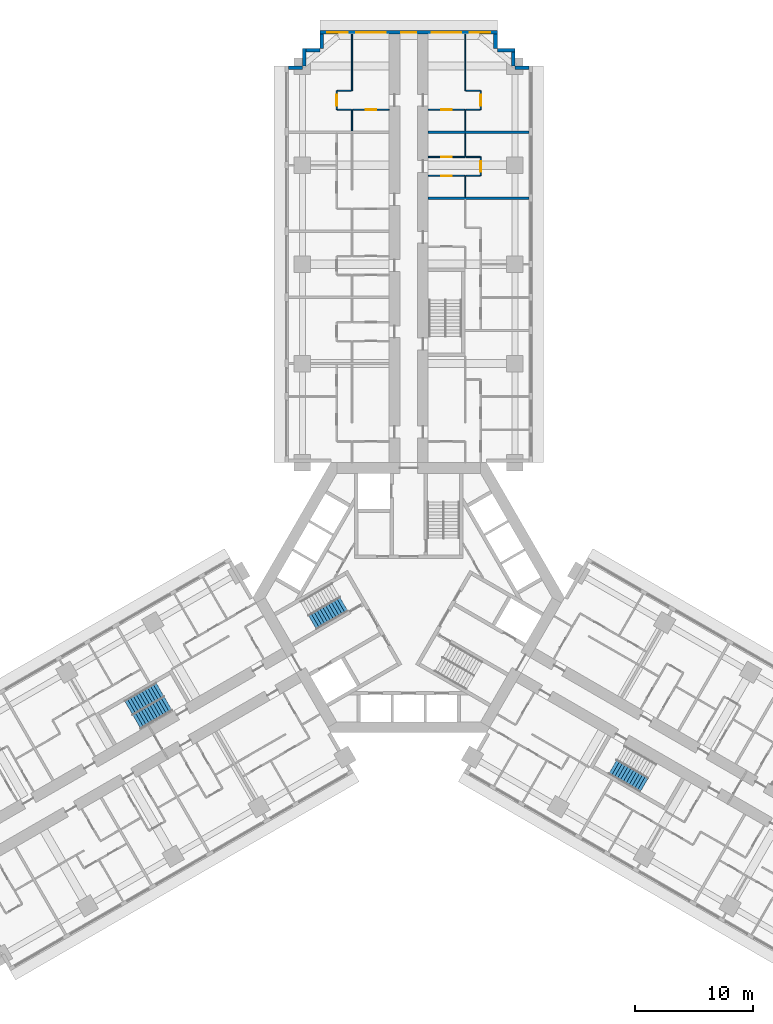
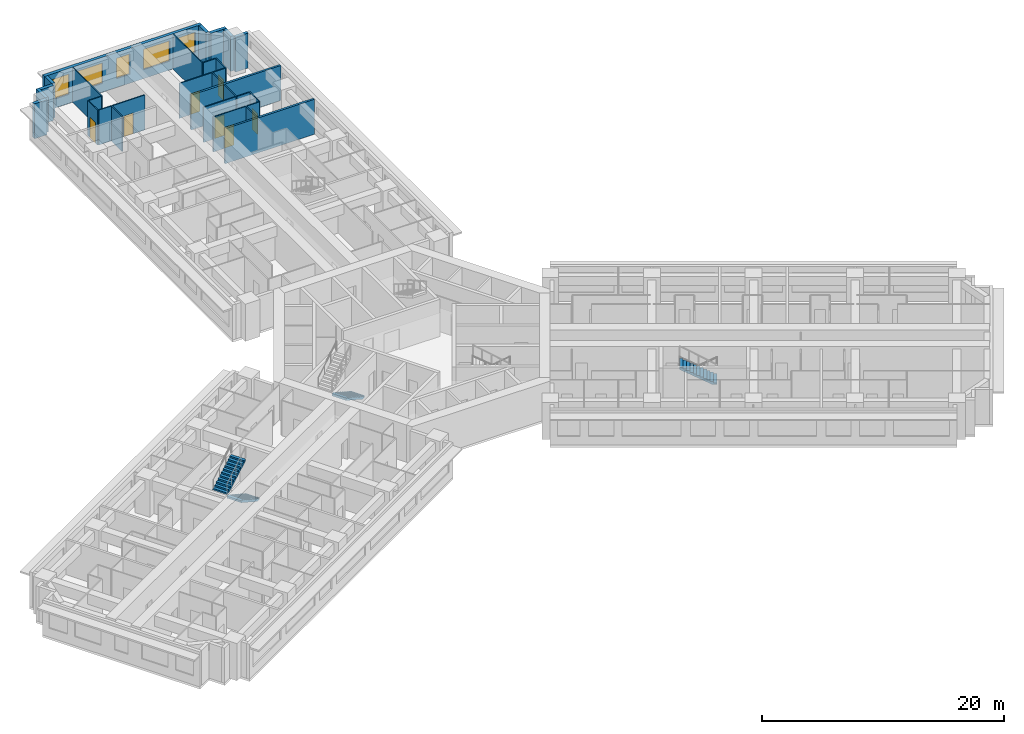
# One storey, part 14 of 16: 30 walls, 7 doors, 5 windows, 4 stair flights, 12 openings, 3 elements without a shape of their own.
"""IFC4 building model written with IfcOpenShell, lengths in metres."""

from ifc_helpers import new_model, si_unit, direction, frame, frame_2d, origin, place, context, subcontext, project, spatial, polyline, rectangle, outline, extrude, material, layer, layer_set, type_object, element, fill, aggregate, save


model = new_model("IFC4")

# Units and contexts
model_context = context("Model", 3, precision=1e-05, world=origin(), true_north=direction((0.0, 1.0)))
body_context = subcontext(model_context, "Body", "Model", "MODEL_VIEW")
ifc_project = project(units=[si_unit("LENGTHUNIT", "METRE"), si_unit("AREAUNIT", "SQUARE_METRE"), si_unit("VOLUMEUNIT", "CUBIC_METRE"), si_unit("PLANEANGLEUNIT", "RADIAN"), si_unit("MASSUNIT", "GRAM", prefix="KILO")], contexts=[model_context])

# Site, building, storey
site_placement = place(None, origin())
site = spatial("IfcSite", under=ifc_project, at=site_placement, CompositionType="ELEMENT")
building_placement = place(site_placement, origin())
building = spatial("IfcBuilding", under=site, at=building_placement, Name="Impinga Residences", CompositionType="ELEMENT")
storey_placement = place(building_placement, frame((0.0, 0.0, 67.25)))
storey = spatial("IfcBuildingStorey", under=building, at=storey_placement, Name="L16", CompositionType="ELEMENT", Elevation=67.25)

# Walls
ifc_material_1 = material(Name="Terracotta rainscreen on blockwork", Category="masonry")
ifc_layer_1 = layer(ifc_material_1, 0.300048828125)
ifc_layer_set_1 = layer_set([ifc_layer_1], Name="EW1 external wall, terracotta rainscreen on blockwork 300")
wall_type_1 = type_object("IfcWallType", Name="EW1 external wall, terracotta rainscreen on blockwork 300", PredefinedType="SOLIDWALL", material=ifc_layer_set_1)
wall_1_placement = place(storey_placement, frame((-10.199951171875, 44.881591796875, 0.0), z_axis=(0.0, 0.0, 1.0), x_axis=(1.0, 0.0, 0.0)))
element("IfcWall", 1, at=wall_1_placement, inside=storey, type_object=wall_type_1, Name="External wall EW1 L16", PredefinedType="SOLIDWALL", context=body_context, shape_type="SweptSolid", body=[
    extrude(rectangle(XDim=1.199951171875, YDim=0.300048828125, at=frame_2d((0.60009765625, 0.0))), origin(), (0.0, 0.0, 1.0), 3.530029296875),
])
wall_2_placement = place(storey_placement, frame((-8.85009765625, 45.03662109375, 0.0), z_axis=(0.0, 0.0, 1.0), x_axis=(0.0, 1.0, 0.0)))
element("IfcWall", 2, at=wall_2_placement, inside=storey, type_object=wall_type_1, Name="External wall EW1 L16", PredefinedType="SOLIDWALL", context=body_context, shape_type="SweptSolid", body=[
    extrude(rectangle(XDim=1.494873046875, YDim=0.300048828125, at=frame_2d((0.74755859375, 0.0))), origin(), (0.0, 0.0, 1.0), 3.530029296875),
])
wall_3_placement = place(storey_placement, frame((-8.699951171875, 46.381591796875, 0.0), z_axis=(0.0, 0.0, 1.0), x_axis=(1.0, 0.0, 0.0)))
element("IfcWall", 3, at=wall_3_placement, inside=storey, type_object=wall_type_1, Name="External wall EW1 L16", PredefinedType="SOLIDWALL", context=body_context, shape_type="SweptSolid", body=[
    extrude(rectangle(XDim=1.199951171875, YDim=0.300048828125, at=frame_2d((0.60009765625, 0.0))), origin(), (0.0, 0.0, 1.0), 3.530029296875),
])
wall_4_placement = place(storey_placement, frame((-7.35009765625, 46.53662109375, 0.0), z_axis=(0.0, 0.0, 1.0), x_axis=(0.0, 1.0, 0.0)))
element("IfcWall", 4, at=wall_4_placement, inside=storey, type_object=wall_type_1, Name="External wall EW1 L16", PredefinedType="SOLIDWALL", context=body_context, shape_type="SweptSolid", body=[
    extrude(rectangle(XDim=1.19482421875, YDim=0.300048828125, at=frame_2d((0.597412109375, 0.0))), origin(), (0.0, 0.0, 1.0), 3.530029296875),
])

# Wall, openings, windows
wall_5_placement = place(storey_placement, frame((-7.5, 47.881591796875, 0.0), z_axis=(0.0, 0.0, 1.0), x_axis=(1.0, 0.0, 0.0)))
wall_5 = element("IfcWall", 5, at=wall_5_placement, inside=storey, type_object=wall_type_1, Name="External wall EW1 L16", PredefinedType="SOLIDWALL", context=body_context, shape_type="SweptSolid", body=[
    extrude(rectangle(XDim=15.0, YDim=0.300048828125, at=frame_2d((7.5, 0.0))), origin(), (0.0, 0.0, 1.0), 3.530029296875),
])
opening_1_placement = place(wall_5_placement, frame((0.60009765625, 0.0, 0.89990234375)))
opening_1 = element("IfcOpeningElement", 6, at=opening_1_placement, cuts=wall_5, Name="Opening W1", PredefinedType="OPENING", context=body_context, shape_type="SweptSolid", body=[
    extrude(rectangle(XDim=1.75, YDim=2.050048828125, at=frame_2d((0.875, 1.02490234375))), frame((0.0, 0.159912109375, 0.0), z_axis=(0.0, -1.0, 0.0), x_axis=(1.0, 0.0, 0.0)), (0.0, 0.0, 1.0), 0.320068359375),
])
opening_2_placement = place(wall_5_placement, frame((3.050048828125, 0.0, 0.89990234375)))
opening_2 = element("IfcOpeningElement", 7, at=opening_2_placement, cuts=wall_5, Name="Opening W2", PredefinedType="OPENING", context=body_context, shape_type="SweptSolid", body=[
    extrude(rectangle(XDim=2.5, YDim=2.050048828125, at=frame_2d((1.25, 1.02490234375))), frame((0.0, 0.159912109375, 0.0), z_axis=(0.0, -1.0, 0.0), x_axis=(1.0, 0.0, 0.0)), (0.0, 0.0, 1.0), 0.320068359375),
])
opening_3_placement = place(wall_5_placement, frame((6.85009765625, 0.0, 0.89990234375)))
opening_3 = element("IfcOpeningElement", 8, at=opening_3_placement, cuts=wall_5, Name="Opening WE1", PredefinedType="OPENING", context=body_context, shape_type="SweptSolid", body=[
    extrude(rectangle(XDim=1.300048828125, YDim=2.050048828125, at=frame_2d((0.64990234375, 1.02490234375))), frame((0.0, 0.159912109375, 0.0), z_axis=(0.0, -1.0, 0.0), x_axis=(1.0, 0.0, 0.0)), (0.0, 0.0, 1.0), 0.320068359375),
])
opening_4_placement = place(wall_5_placement, frame((9.449951171875, 0.0, 0.89990234375)))
opening_4 = element("IfcOpeningElement", 9, at=opening_4_placement, cuts=wall_5, Name="Opening W2", PredefinedType="OPENING", context=body_context, shape_type="SweptSolid", body=[
    extrude(rectangle(XDim=2.5, YDim=2.050048828125, at=frame_2d((1.25, 1.02490234375))), frame((0.0, 0.159912109375, 0.0), z_axis=(0.0, -1.0, 0.0), x_axis=(1.0, 0.0, 0.0)), (0.0, 0.0, 1.0), 0.320068359375),
])
opening_5_placement = place(wall_5_placement, frame((12.64990234375, 0.0, 0.89990234375)))
opening_5 = element("IfcOpeningElement", 10, at=opening_5_placement, cuts=wall_5, Name="Opening W1", PredefinedType="OPENING", context=body_context, shape_type="SweptSolid", body=[
    extrude(rectangle(XDim=1.75, YDim=2.050048828125, at=frame_2d((0.875, 1.02490234375))), frame((0.0, 0.159912109375, 0.0), z_axis=(0.0, -1.0, 0.0), x_axis=(1.0, 0.0, 0.0)), (0.0, 0.0, 1.0), 0.320068359375),
])
ifc_material_2 = material(Name="Aluminium window, clear double glazing", Category="aluminium")
window_type_1 = type_object("IfcWindowType", Name="W1 ribbon window 1750x2050", PartitioningType="SINGLE_PANEL", PredefinedType="WINDOW", material=ifc_material_2)
window_1_placement = place(opening_1_placement, origin())
window_1 = element("IfcWindow", 11, at=window_1_placement, inside=storey, type_object=window_type_1, Name="Window L16", OverallHeight=2.050048828125, OverallWidth=1.75, PartitioningType="SINGLE_PANEL", PredefinedType="WINDOW", context=body_context, shape_type="SweptSolid", body=[
    extrude(rectangle(XDim=1.75, YDim=2.050048828125, at=frame_2d((0.875, 1.02490234375))), frame((0.0, 0.030029296875, 0.0), z_axis=(0.0, -1.0, 0.0), x_axis=(1.0, 0.0, 0.0)), (0.0, 0.0, 1.0), 0.06005859375),
])
fill(opening_1, window_1)
window_2_placement = place(opening_5_placement, origin())
window_2 = element("IfcWindow", 12, at=window_2_placement, inside=storey, type_object=window_type_1, Name="Window L16", OverallHeight=2.050048828125, OverallWidth=1.75, PartitioningType="SINGLE_PANEL", PredefinedType="WINDOW", context=body_context, shape_type="SweptSolid", body=[
    extrude(rectangle(XDim=1.75, YDim=2.050048828125, at=frame_2d((0.875, 1.02490234375))), frame((0.0, 0.030029296875, 0.0), z_axis=(0.0, -1.0, 0.0), x_axis=(1.0, 0.0, 0.0)), (0.0, 0.0, 1.0), 0.06005859375),
])
fill(opening_5, window_2)
window_type_2 = type_object("IfcWindowType", Name="W2 ribbon window 2500x2050", PartitioningType="SINGLE_PANEL", PredefinedType="WINDOW", material=ifc_material_2)
window_3_placement = place(opening_2_placement, origin())
window_3 = element("IfcWindow", 13, at=window_3_placement, inside=storey, type_object=window_type_2, Name="Window L16", OverallHeight=2.050048828125, OverallWidth=2.5, PartitioningType="SINGLE_PANEL", PredefinedType="WINDOW", context=body_context, shape_type="SweptSolid", body=[
    extrude(rectangle(XDim=2.5, YDim=2.050048828125, at=frame_2d((1.25, 1.02490234375))), frame((0.0, 0.030029296875, 0.0), z_axis=(0.0, -1.0, 0.0), x_axis=(1.0, 0.0, 0.0)), (0.0, 0.0, 1.0), 0.06005859375),
])
fill(opening_2, window_3)
window_4_placement = place(opening_4_placement, origin())
window_4 = element("IfcWindow", 14, at=window_4_placement, inside=storey, type_object=window_type_2, Name="Window L16", OverallHeight=2.050048828125, OverallWidth=2.5, PartitioningType="SINGLE_PANEL", PredefinedType="WINDOW", context=body_context, shape_type="SweptSolid", body=[
    extrude(rectangle(XDim=2.5, YDim=2.050048828125, at=frame_2d((1.25, 1.02490234375))), frame((0.0, 0.030029296875, 0.0), z_axis=(0.0, -1.0, 0.0), x_axis=(1.0, 0.0, 0.0)), (0.0, 0.0, 1.0), 0.06005859375),
])
fill(opening_4, window_4)
window_type_3 = type_object("IfcWindowType", Name="WE1 corridor window 1300x2050", PartitioningType="SINGLE_PANEL", PredefinedType="WINDOW", material=ifc_material_2)
window_5_placement = place(opening_3_placement, origin())
window_5 = element("IfcWindow", 15, at=window_5_placement, inside=storey, type_object=window_type_3, Name="Window L16", OverallHeight=2.050048828125, OverallWidth=1.300048828125, PartitioningType="SINGLE_PANEL", PredefinedType="WINDOW", context=body_context, shape_type="SweptSolid", body=[
    extrude(rectangle(XDim=1.300048828125, YDim=2.050048828125, at=frame_2d((0.64990234375, 1.02490234375))), frame((0.0, 0.030029296875, 0.0), z_axis=(0.0, -1.0, 0.0), x_axis=(1.0, 0.0, 0.0)), (0.0, 0.0, 1.0), 0.06005859375),
])
fill(opening_3, window_5)

# Walls
wall_6_placement = place(storey_placement, frame((7.35009765625, 47.7314453125, 0.0), z_axis=(0.0, 0.0, 1.0), x_axis=(0.0, -1.0, 0.0)))
element("IfcWall", 16, at=wall_6_placement, inside=storey, type_object=wall_type_1, Name="External wall EW1 L16", PredefinedType="SOLIDWALL", context=body_context, shape_type="SweptSolid", body=[
    extrude(rectangle(XDim=1.19482421875, YDim=0.300048828125, at=frame_2d((0.597412109375, 0.0))), origin(), (0.0, 0.0, 1.0), 3.530029296875),
])
wall_7_placement = place(storey_placement, frame((7.5, 46.381591796875, 0.0), z_axis=(0.0, 0.0, 1.0), x_axis=(1.0, 0.0, 0.0)))
element("IfcWall", 17, at=wall_7_placement, inside=storey, type_object=wall_type_1, Name="External wall EW1 L16", PredefinedType="SOLIDWALL", context=body_context, shape_type="SweptSolid", body=[
    extrude(rectangle(XDim=1.5, YDim=0.300048828125, at=frame_2d((0.75, 0.0))), origin(), (0.0, 0.0, 1.0), 3.530029296875),
])
wall_8_placement = place(storey_placement, frame((8.85009765625, 46.2314453125, 0.0), z_axis=(0.0, 0.0, 1.0), x_axis=(0.0, -1.0, 0.0)))
element("IfcWall", 18, at=wall_8_placement, inside=storey, type_object=wall_type_1, Name="External wall EW1 L16", PredefinedType="SOLIDWALL", context=body_context, shape_type="SweptSolid", body=[
    extrude(rectangle(XDim=1.199951171875, YDim=0.300048828125, at=frame_2d((0.60009765625, 0.0))), origin(), (0.0, 0.0, 1.0), 3.530029296875),
])
wall_9_placement = place(storey_placement, frame((9.0048828125, 44.881591796875, 0.0), z_axis=(0.0, 0.0, 1.0), x_axis=(1.0, 0.0, 0.0)))
element("IfcWall", 19, at=wall_9_placement, inside=storey, type_object=wall_type_1, Name="External wall EW1 L16", PredefinedType="SOLIDWALL", context=body_context, shape_type="SweptSolid", body=[
    extrude(rectangle(XDim=1.195068359375, YDim=0.300048828125, at=frame_2d((0.59765625, 0.0))), origin(), (0.0, 0.0, 1.0), 3.530029296875),
])
ifc_material_3 = material(Name="Gypsum board on steel studs", Category="steel")
ifc_layer_2 = layer(ifc_material_3, 0.10009765625)
ifc_layer_set_2 = layer_set([ifc_layer_2], Name="Gypsum board on steel studs")
wall_type_2 = type_object("IfcWallType", Name="IP1 partition 100", PredefinedType="PARTITIONING", material=ifc_layer_set_2)
wall_10_placement = place(storey_placement, frame((-4.800048828125, 39.531494140625, 0.0), z_axis=(0.0, 0.0, 1.0), x_axis=(0.0, 1.0, 0.0)))
element("IfcWall", 20, at=wall_10_placement, inside=storey, type_object=wall_type_2, Name="Partition L16-NA5:DIV0", PredefinedType="PARTITIONING", context=body_context, shape_type="SweptSolid", body=[
    extrude(rectangle(XDim=1.800048828125, YDim=0.10009765625, at=frame_2d((0.89990234375, 0.0))), origin(), (0.0, 0.0, 1.0), 3.530029296875),
])
wall_11_placement = place(storey_placement, frame((-4.800048828125, 42.931640625, 0.0), z_axis=(0.0, 0.0, 1.0), x_axis=(0.0, 1.0, 0.0)))
element("IfcWall", 21, at=wall_11_placement, inside=storey, type_object=wall_type_2, Name="Partition L16-NA5:DIV1", PredefinedType="PARTITIONING", context=body_context, shape_type="SweptSolid", body=[
    extrude(rectangle(XDim=4.7998046875, YDim=0.10009765625, at=frame_2d((2.39990234375, 0.0))), origin(), (0.0, 0.0, 1.0), 3.530029296875),
])

# Wall, opening, door
wall_12_placement = place(storey_placement, frame((-6.10009765625, 41.33154296875, 0.0), z_axis=(0.0, 0.0, 1.0), x_axis=(0.0, 1.0, 0.0)))
wall_12 = element("IfcWall", 22, at=wall_12_placement, inside=storey, type_object=wall_type_2, Name="Partition L16-NA5:STRIP", PredefinedType="PARTITIONING", context=body_context, shape_type="SweptSolid", body=[
    extrude(rectangle(XDim=1.60009765625, YDim=0.10009765625, at=frame_2d((0.800048828125, 0.0))), origin(), (0.0, 0.0, 1.0), 3.530029296875),
])
opening_6_placement = place(wall_12_placement, frame((0.35009765625, 0.0, 0.0)))
opening_6 = element("IfcOpeningElement", 23, at=opening_6_placement, cuts=wall_12, Name="Opening D2", PredefinedType="OPENING", context=body_context, shape_type="SweptSolid", body=[
    extrude(rectangle(XDim=0.89990234375, YDim=2.10009765625, at=frame_2d((0.449951171875, 1.050048828125))), frame((0.0, 0.06005859375, 0.0), z_axis=(0.0, -1.0, 0.0), x_axis=(1.0, 0.0, 0.0)), (0.0, 0.0, 1.0), 0.1201171875),
])
ifc_material_4 = material(Name="Timber door set", Category="wood")
door_type = type_object("IfcDoorType", Name="D2 internal door 900x2100", OperationType="SINGLE_SWING_LEFT", PredefinedType="DOOR", material=ifc_material_4)
door_1_placement = place(opening_6_placement, origin())
door_1 = element("IfcDoor", 24, at=door_1_placement, inside=storey, type_object=door_type, Name="Apartment L16-NA5 room door", OperationType="SINGLE_SWING_LEFT", OverallHeight=2.10009765625, OverallWidth=0.89990234375, PredefinedType="DOOR", context=body_context, shape_type="SweptSolid", body=[
    extrude(rectangle(XDim=0.89990234375, YDim=2.10009765625, at=frame_2d((0.449951171875, 1.050048828125))), frame((0.0, 0.02490234375, 0.0), z_axis=(0.0, -1.0, 0.0), x_axis=(1.0, 0.0, 0.0)), (0.0, 0.0, 1.0), 0.050048828125),
])
fill(opening_6, door_1)

# Walls
for number, where, z_axis, x_axis, name in (
    (25, (-4.85009765625, 41.33154296875, 0.0), (0.0, 0.0, 1.0), (-1.0, 0.0, 0.0), "Partition L16-NA5:SE0"),
    (26, (-4.85009765625, 42.931640625, 0.0), (0.0, 0.0, 1.0), (-1.0, 0.0, 0.0), "Partition L16-NA5:SE1"),
):
    element("IfcWall", number, at=place(storey_placement, frame(where, z_axis=z_axis, x_axis=x_axis)), inside=storey, type_object=wall_type_2, Name=name, PredefinedType="PARTITIONING", context=body_context, shape_type="SweptSolid", body=[
        extrude(rectangle(XDim=1.199951171875, YDim=0.10009765625, at=frame_2d((0.60009765625, 0.0))), origin(), (0.0, 0.0, 1.0), 3.530029296875),
    ])

# Wall, opening, door
wall_13_placement = place(storey_placement, frame((-1.64990234375, 41.33154296875, 0.0), z_axis=(0.0, 0.0, 1.0), x_axis=(-1.0, 0.0, 0.0)))
wall_13 = element("IfcWall", 27, at=wall_13_placement, inside=storey, type_object=wall_type_2, Name="Partition L16-NA5:IB1", PredefinedType="PARTITIONING", context=body_context, shape_type="SweptSolid", body=[
    extrude(rectangle(XDim=3.10009765625, YDim=0.10009765625, at=frame_2d((1.550048828125, 0.0))), origin(), (0.0, 0.0, 1.0), 3.530029296875),
])
opening_7_placement = place(wall_13_placement, frame((1.10009765625, 0.0, 0.0)))
opening_7 = element("IfcOpeningElement", 28, at=opening_7_placement, cuts=wall_13, Name="Opening D2", PredefinedType="OPENING", context=body_context, shape_type="SweptSolid", body=[
    extrude(rectangle(XDim=0.89990234375, YDim=2.10009765625, at=frame_2d((0.449951171875, 1.050048828125))), frame((0.0, 0.06005859375, 0.0), z_axis=(0.0, -1.0, 0.0), x_axis=(1.0, 0.0, 0.0)), (0.0, 0.0, 1.0), 0.1201171875),
])
door_2_placement = place(opening_7_placement, origin())
door_2 = element("IfcDoor", 29, at=door_2_placement, inside=storey, type_object=door_type, Name="Apartment L16-NA5 bathroom door", OperationType="SINGLE_SWING_LEFT", OverallHeight=2.10009765625, OverallWidth=0.89990234375, PredefinedType="DOOR", context=body_context, shape_type="SweptSolid", body=[
    extrude(rectangle(XDim=0.89990234375, YDim=2.10009765625, at=frame_2d((0.449951171875, 1.050048828125))), frame((0.0, 0.02490234375, 0.0), z_axis=(0.0, -1.0, 0.0), x_axis=(1.0, 0.0, 0.0)), (0.0, 0.0, 1.0), 0.050048828125),
])
fill(opening_7, door_2)

# Walls
wall_14_placement = place(storey_placement, frame((4.800048828125, 33.931640625, 0.0), z_axis=(0.0, 0.0, 1.0), x_axis=(0.0, 1.0, 0.0)))
element("IfcWall", 30, at=wall_14_placement, inside=storey, type_object=wall_type_2, Name="Partition L16-NF3:DIV0", PredefinedType="PARTITIONING", context=body_context, shape_type="SweptSolid", body=[
    extrude(rectangle(XDim=1.7998046875, YDim=0.10009765625, at=frame_2d((0.89990234375, 0.0))), origin(), (0.0, 0.0, 1.0), 3.530029296875),
])
wall_15_placement = place(storey_placement, frame((4.800048828125, 37.33154296875, 0.0), z_axis=(0.0, 0.0, 1.0), x_axis=(0.0, 1.0, 0.0)))
element("IfcWall", 31, at=wall_15_placement, inside=storey, type_object=wall_type_2, Name="Partition L16-NF3:DIV1", PredefinedType="PARTITIONING", context=body_context, shape_type="SweptSolid", body=[
    extrude(rectangle(XDim=2.0, YDim=0.10009765625, at=frame_2d((1.0, 0.0))), origin(), (0.0, 0.0, 1.0), 3.530029296875),
])

# Wall, opening, door
wall_16_placement = place(storey_placement, frame((6.10009765625, 35.7314453125, 0.0), z_axis=(0.0, 0.0, 1.0), x_axis=(0.0, 1.0, 0.0)))
wall_16 = element("IfcWall", 32, at=wall_16_placement, inside=storey, type_object=wall_type_2, Name="Partition L16-NF3:STRIP", PredefinedType="PARTITIONING", context=body_context, shape_type="SweptSolid", body=[
    extrude(rectangle(XDim=1.60009765625, YDim=0.10009765625, at=frame_2d((0.800048828125, 0.0))), origin(), (0.0, 0.0, 1.0), 3.530029296875),
])
opening_8_placement = place(wall_16_placement, frame((0.35009765625, 0.0, 0.0)))
opening_8 = element("IfcOpeningElement", 33, at=opening_8_placement, cuts=wall_16, Name="Opening D2", PredefinedType="OPENING", context=body_context, shape_type="SweptSolid", body=[
    extrude(rectangle(XDim=0.89990234375, YDim=2.10009765625, at=frame_2d((0.449951171875, 1.050048828125))), frame((0.0, 0.06005859375, 0.0), z_axis=(0.0, -1.0, 0.0), x_axis=(1.0, 0.0, 0.0)), (0.0, 0.0, 1.0), 0.1201171875),
])
door_3_placement = place(opening_8_placement, origin())
door_3 = element("IfcDoor", 34, at=door_3_placement, inside=storey, type_object=door_type, Name="Apartment L16-NF3 room door", OperationType="SINGLE_SWING_LEFT", OverallHeight=2.10009765625, OverallWidth=0.89990234375, PredefinedType="DOOR", context=body_context, shape_type="SweptSolid", body=[
    extrude(rectangle(XDim=0.89990234375, YDim=2.10009765625, at=frame_2d((0.449951171875, 1.050048828125))), frame((0.0, 0.02490234375, 0.0), z_axis=(0.0, -1.0, 0.0), x_axis=(1.0, 0.0, 0.0)), (0.0, 0.0, 1.0), 0.050048828125),
])
fill(opening_8, door_3)

# Walls
for number, where, z_axis, x_axis, name in (
    (35, (4.85009765625, 35.7314453125, 0.0), (0.0, 0.0, 1.0), (1.0, 0.0, 0.0), "Partition L16-NF3:SE0"),
    (36, (4.85009765625, 37.33154296875, 0.0), (0.0, 0.0, 1.0), (1.0, 0.0, 0.0), "Partition L16-NF3:SE1"),
):
    element("IfcWall", number, at=place(storey_placement, frame(where, z_axis=z_axis, x_axis=x_axis)), inside=storey, type_object=wall_type_2, Name=name, PredefinedType="PARTITIONING", context=body_context, shape_type="SweptSolid", body=[
        extrude(rectangle(XDim=1.199951171875, YDim=0.10009765625, at=frame_2d((0.60009765625, 0.0))), origin(), (0.0, 0.0, 1.0), 3.530029296875),
    ])

# Wall, opening, door
wall_17_placement = place(storey_placement, frame((1.64990234375, 35.7314453125, 0.0), z_axis=(0.0, 0.0, 1.0), x_axis=(1.0, 0.0, 0.0)))
wall_17 = element("IfcWall", 37, at=wall_17_placement, inside=storey, type_object=wall_type_2, Name="Partition L16-NF3:IB1", PredefinedType="PARTITIONING", context=body_context, shape_type="SweptSolid", body=[
    extrude(rectangle(XDim=3.10009765625, YDim=0.10009765625, at=frame_2d((1.550048828125, 0.0))), origin(), (0.0, 0.0, 1.0), 3.530029296875),
])
opening_9_placement = place(wall_17_placement, frame((1.10009765625, 0.0, 0.0)))
opening_9 = element("IfcOpeningElement", 38, at=opening_9_placement, cuts=wall_17, Name="Opening D2", PredefinedType="OPENING", context=body_context, shape_type="SweptSolid", body=[
    extrude(rectangle(XDim=0.89990234375, YDim=2.10009765625, at=frame_2d((0.449951171875, 1.050048828125))), frame((0.0, 0.06005859375, 0.0), z_axis=(0.0, -1.0, 0.0), x_axis=(1.0, 0.0, 0.0)), (0.0, 0.0, 1.0), 0.1201171875),
])
door_4_placement = place(opening_9_placement, origin())
door_4 = element("IfcDoor", 39, at=door_4_placement, inside=storey, type_object=door_type, Name="Apartment L16-NF3 bathroom door", OperationType="SINGLE_SWING_LEFT", OverallHeight=2.10009765625, OverallWidth=0.89990234375, PredefinedType="DOOR", context=body_context, shape_type="SweptSolid", body=[
    extrude(rectangle(XDim=0.89990234375, YDim=2.10009765625, at=frame_2d((0.449951171875, 1.050048828125))), frame((0.0, 0.02490234375, 0.0), z_axis=(0.0, -1.0, 0.0), x_axis=(1.0, 0.0, 0.0)), (0.0, 0.0, 1.0), 0.050048828125),
])
fill(opening_9, door_4)

wall_18_placement = place(storey_placement, frame((1.64990234375, 37.33154296875, 0.0), z_axis=(0.0, 0.0, 1.0), x_axis=(1.0, 0.0, 0.0)))
wall_18 = element("IfcWall", 40, at=wall_18_placement, inside=storey, type_object=wall_type_2, Name="Partition L16-NF3:IB2", PredefinedType="PARTITIONING", context=body_context, shape_type="SweptSolid", body=[
    extrude(rectangle(XDim=3.10009765625, YDim=0.10009765625, at=frame_2d((1.550048828125, 0.0))), origin(), (0.0, 0.0, 1.0), 3.530029296875),
])
opening_10_placement = place(wall_18_placement, frame((1.10009765625, 0.0, 0.0)))
opening_10 = element("IfcOpeningElement", 41, at=opening_10_placement, cuts=wall_18, Name="Opening D2", PredefinedType="OPENING", context=body_context, shape_type="SweptSolid", body=[
    extrude(rectangle(XDim=0.89990234375, YDim=2.10009765625, at=frame_2d((0.449951171875, 1.050048828125))), frame((0.0, 0.06005859375, 0.0), z_axis=(0.0, -1.0, 0.0), x_axis=(1.0, 0.0, 0.0)), (0.0, 0.0, 1.0), 0.1201171875),
])
door_5_placement = place(opening_10_placement, origin())
door_5 = element("IfcDoor", 42, at=door_5_placement, inside=storey, type_object=door_type, Name="Apartment L16-NF3 WC door", OperationType="SINGLE_SWING_LEFT", OverallHeight=2.10009765625, OverallWidth=0.89990234375, PredefinedType="DOOR", context=body_context, shape_type="SweptSolid", body=[
    extrude(rectangle(XDim=0.89990234375, YDim=2.10009765625, at=frame_2d((0.449951171875, 1.050048828125))), frame((0.0, 0.02490234375, 0.0), z_axis=(0.0, -1.0, 0.0), x_axis=(1.0, 0.0, 0.0)), (0.0, 0.0, 1.0), 0.050048828125),
])
fill(opening_10, door_5)

# Walls
wall_19_placement = place(storey_placement, frame((4.800048828125, 39.531494140625, 0.0), z_axis=(0.0, 0.0, 1.0), x_axis=(0.0, 1.0, 0.0)))
element("IfcWall", 43, at=wall_19_placement, inside=storey, type_object=wall_type_2, Name="Partition L16-NF4:DIV0", PredefinedType="PARTITIONING", context=body_context, shape_type="SweptSolid", body=[
    extrude(rectangle(XDim=1.800048828125, YDim=0.10009765625, at=frame_2d((0.89990234375, 0.0))), origin(), (0.0, 0.0, 1.0), 3.530029296875),
])
wall_20_placement = place(storey_placement, frame((4.800048828125, 42.931640625, 0.0), z_axis=(0.0, 0.0, 1.0), x_axis=(0.0, 1.0, 0.0)))
element("IfcWall", 44, at=wall_20_placement, inside=storey, type_object=wall_type_2, Name="Partition L16-NF4:DIV1", PredefinedType="PARTITIONING", context=body_context, shape_type="SweptSolid", body=[
    extrude(rectangle(XDim=4.7998046875, YDim=0.10009765625, at=frame_2d((2.39990234375, 0.0))), origin(), (0.0, 0.0, 1.0), 3.530029296875),
])

# Wall, opening, door
wall_21_placement = place(storey_placement, frame((6.10009765625, 41.33154296875, 0.0), z_axis=(0.0, 0.0, 1.0), x_axis=(0.0, 1.0, 0.0)))
wall_21 = element("IfcWall", 45, at=wall_21_placement, inside=storey, type_object=wall_type_2, Name="Partition L16-NF4:STRIP", PredefinedType="PARTITIONING", context=body_context, shape_type="SweptSolid", body=[
    extrude(rectangle(XDim=1.60009765625, YDim=0.10009765625, at=frame_2d((0.800048828125, 0.0))), origin(), (0.0, 0.0, 1.0), 3.530029296875),
])
opening_11_placement = place(wall_21_placement, frame((0.35009765625, 0.0, 0.0)))
opening_11 = element("IfcOpeningElement", 46, at=opening_11_placement, cuts=wall_21, Name="Opening D2", PredefinedType="OPENING", context=body_context, shape_type="SweptSolid", body=[
    extrude(rectangle(XDim=0.89990234375, YDim=2.10009765625, at=frame_2d((0.449951171875, 1.050048828125))), frame((0.0, 0.06005859375, 0.0), z_axis=(0.0, -1.0, 0.0), x_axis=(1.0, 0.0, 0.0)), (0.0, 0.0, 1.0), 0.1201171875),
])
door_6_placement = place(opening_11_placement, origin())
door_6 = element("IfcDoor", 47, at=door_6_placement, inside=storey, type_object=door_type, Name="Apartment L16-NF4 room door", OperationType="SINGLE_SWING_LEFT", OverallHeight=2.10009765625, OverallWidth=0.89990234375, PredefinedType="DOOR", context=body_context, shape_type="SweptSolid", body=[
    extrude(rectangle(XDim=0.89990234375, YDim=2.10009765625, at=frame_2d((0.449951171875, 1.050048828125))), frame((0.0, 0.02490234375, 0.0), z_axis=(0.0, -1.0, 0.0), x_axis=(1.0, 0.0, 0.0)), (0.0, 0.0, 1.0), 0.050048828125),
])
fill(opening_11, door_6)

# Walls
for number, where, z_axis, x_axis, name in (
    (48, (4.85009765625, 41.33154296875, 0.0), (0.0, 0.0, 1.0), (1.0, 0.0, 0.0), "Partition L16-NF4:SE0"),
    (49, (4.85009765625, 42.931640625, 0.0), (0.0, 0.0, 1.0), (1.0, 0.0, 0.0), "Partition L16-NF4:SE1"),
):
    element("IfcWall", number, at=place(storey_placement, frame(where, z_axis=z_axis, x_axis=x_axis)), inside=storey, type_object=wall_type_2, Name=name, PredefinedType="PARTITIONING", context=body_context, shape_type="SweptSolid", body=[
        extrude(rectangle(XDim=1.199951171875, YDim=0.10009765625, at=frame_2d((0.60009765625, 0.0))), origin(), (0.0, 0.0, 1.0), 3.530029296875),
    ])

# Wall, opening, door
wall_22_placement = place(storey_placement, frame((1.64990234375, 41.33154296875, 0.0), z_axis=(0.0, 0.0, 1.0), x_axis=(1.0, 0.0, 0.0)))
wall_22 = element("IfcWall", 50, at=wall_22_placement, inside=storey, type_object=wall_type_2, Name="Partition L16-NF4:IB1", PredefinedType="PARTITIONING", context=body_context, shape_type="SweptSolid", body=[
    extrude(rectangle(XDim=3.10009765625, YDim=0.10009765625, at=frame_2d((1.550048828125, 0.0))), origin(), (0.0, 0.0, 1.0), 3.530029296875),
])
opening_12_placement = place(wall_22_placement, frame((1.10009765625, 0.0, 0.0)))
opening_12 = element("IfcOpeningElement", 51, at=opening_12_placement, cuts=wall_22, Name="Opening D2", PredefinedType="OPENING", context=body_context, shape_type="SweptSolid", body=[
    extrude(rectangle(XDim=0.89990234375, YDim=2.10009765625, at=frame_2d((0.449951171875, 1.050048828125))), frame((0.0, 0.06005859375, 0.0), z_axis=(0.0, -1.0, 0.0), x_axis=(1.0, 0.0, 0.0)), (0.0, 0.0, 1.0), 0.1201171875),
])
door_7_placement = place(opening_12_placement, origin())
door_7 = element("IfcDoor", 52, at=door_7_placement, inside=storey, type_object=door_type, Name="Apartment L16-NF4 bathroom door", OperationType="SINGLE_SWING_LEFT", OverallHeight=2.10009765625, OverallWidth=0.89990234375, PredefinedType="DOOR", context=body_context, shape_type="SweptSolid", body=[
    extrude(rectangle(XDim=0.89990234375, YDim=2.10009765625, at=frame_2d((0.449951171875, 1.050048828125))), frame((0.0, 0.02490234375, 0.0), z_axis=(0.0, -1.0, 0.0), x_axis=(1.0, 0.0, 0.0)), (0.0, 0.0, 1.0), 0.050048828125),
])
fill(opening_12, door_7)

# Walls
ifc_material_5 = material(Name="Concrete blockwork", Category="masonry")
ifc_layer_3 = layer(ifc_material_5, 0.199951171875)
ifc_layer_set_3 = layer_set([ifc_layer_3], Name="PW1 party wall between apartments 200")
wall_type_3 = type_object("IfcWallType", Name="PW1 party wall between apartments 200", PredefinedType="SOLIDWALL", material=ifc_layer_set_3)
for number, where, z_axis, x_axis, name in (
    (53, (1.64990234375, 33.83154296875, 0.0), (0.0, 0.0, 1.0), (1.0, 0.0, 0.0), "Party wall between apartments L16-NF2:PARTY"),
    (54, (1.64990234375, 39.431640625, 0.0), (0.0, 0.0, 1.0), (1.0, 0.0, 0.0), "Party wall between apartments L16-NF3:PARTY"),
):
    element("IfcWall", number, at=place(storey_placement, frame(where, z_axis=z_axis, x_axis=x_axis)), inside=storey, type_object=wall_type_3, Name=name, PredefinedType="SOLIDWALL", context=body_context, shape_type="SweptSolid", body=[
        extrude(rectangle(XDim=8.550048828125, YDim=0.199951171875, at=frame_2d((4.27490234375, 0.0))), origin(), (0.0, 0.0, 1.0), 3.530029296875),
    ])

# Stair, stair flight
ifc_material_6 = material(Name="Concrete C40/50", Category="concrete")
stair_type_1 = type_object("IfcStairType", Name="STR core stair 3750 storey, 24 risers", PredefinedType="HALF_TURN_STAIR", material=ifc_material_6)
stair_1_placement = place(storey_placement, origin())
stair_1 = element("IfcStair", 55, at=stair_1_placement, inside=storey, type_object=stair_type_1, Name="Stair ST2 L16", PredefinedType="HALF_TURN_STAIR")
stair_flight_type = type_object("IfcStairFlightType", Name="SF 12 risers of 156", PredefinedType="STRAIGHT", material=ifc_material_6)
stair_flight_1_placement = place(storey_placement, frame((-5.49365234375, -0.544677734375, 0.0), z_axis=(0.0, 0.0, 1.0), x_axis=(-0.866025403784, -0.5, 0.0)))
stair_flight_1 = element("IfcStairFlight", 56, at=stair_flight_1_placement, type_object=stair_flight_type, Name="ST2 flight 1", NumberOfRisers=12, NumberOfTreads=11, PredefinedType="STRAIGHT", RiserHeight=0.15625, TreadLength=0.28, context=body_context, shape_type="SweptSolid", body=[
    extrude(outline(polyline([(0.0, 0.0), (0.0, 0.15625), (0.280029296875, 0.15625), (0.280029296875, 0.3125), (0.56005859375, 0.3125), (0.56005859375, 0.46875), (0.840087890625, 0.46875), (0.840087890625, 0.625), (1.1201171875, 0.625), (1.1201171875, 0.78125), (1.39990234375, 0.78125), (1.39990234375, 0.9375), (1.679931640625, 0.9375), (1.679931640625, 1.09375), (1.9599609375, 1.09375), (1.9599609375, 1.25), (2.239990234375, 1.25), (2.239990234375, 1.40625), (2.52001953125, 1.40625), (2.52001953125, 1.5625), (2.800048828125, 1.5625), (2.800048828125, 1.71875), (3.080078125, 1.71875), (3.080078125, 1.875), (3.080078125, 1.5126953125), (0.369140625, 0.0), (0.0, 0.0)])), frame((0.0, 0.675048828125, 0.0), z_axis=(0.0, -1.0, 0.0), x_axis=(1.0, 0.0, 0.0)), (0.0, 0.0, 1.0), 1.35009765625),
])
aggregate(stair_1, [stair_flight_1])

# Stair, stair flights
stair_type_2 = type_object("IfcStairType", Name="STR wing stair 3750 storey, 24 risers", PredefinedType="HALF_TURN_STAIR", material=ifc_material_6)
stair_2_placement = place(storey_placement, origin())
stair_2 = element("IfcStair", 57, at=stair_2_placement, inside=storey, type_object=stair_type_2, Name="Stair WS2 L16", PredefinedType="HALF_TURN_STAIR")
stair_flight_2_placement = place(storey_placement, frame((-20.37890625, -8.965576171875, 0.0), z_axis=(0.0, 0.0, 1.0), x_axis=(-0.866025403784, -0.5, 0.0)))
stair_flight_2 = element("IfcStairFlight", 58, at=stair_flight_2_placement, type_object=stair_flight_type, Name="WS2 flight 1", NumberOfRisers=12, NumberOfTreads=11, PredefinedType="STRAIGHT", RiserHeight=0.15625, TreadLength=0.28, context=body_context, shape_type="SweptSolid", body=[
    extrude(outline(polyline([(0.0, 0.0), (0.0, 0.15625), (0.280029296875, 0.15625), (0.280029296875, 0.3125), (0.56005859375, 0.3125), (0.56005859375, 0.46875), (0.840087890625, 0.46875), (0.840087890625, 0.625), (1.1201171875, 0.625), (1.1201171875, 0.78125), (1.39990234375, 0.78125), (1.39990234375, 0.9375), (1.679931640625, 0.9375), (1.679931640625, 1.09375), (1.9599609375, 1.09375), (1.9599609375, 1.25), (2.239990234375, 1.25), (2.239990234375, 1.40625), (2.52001953125, 1.40625), (2.52001953125, 1.5625), (2.800048828125, 1.5625), (2.800048828125, 1.71875), (3.080078125, 1.71875), (3.080078125, 1.875), (3.080078125, 1.5126953125), (0.369140625, 0.0), (0.0, 0.0)])), frame((0.0, 0.675048828125, 0.0), z_axis=(0.0, -1.0, 0.0), x_axis=(1.0, 0.0, 0.0)), (0.0, 0.0, 1.0), 1.35009765625),
])
stair_flight_3_placement = place(storey_placement, frame((-23.721435546875, -9.33642578125, 1.875), z_axis=(0.0, 0.0, 1.0), x_axis=(0.866025403784, 0.5, 0.0)))
stair_flight_3 = element("IfcStairFlight", 59, at=stair_flight_3_placement, type_object=stair_flight_type, Name="WS2 flight 2", NumberOfRisers=12, NumberOfTreads=11, PredefinedType="STRAIGHT", RiserHeight=0.15625, TreadLength=0.28, context=body_context, shape_type="SweptSolid", body=[
    extrude(outline(polyline([(0.0, 0.0), (0.0, 0.15625), (0.280029296875, 0.15625), (0.280029296875, 0.3125), (0.56005859375, 0.3125), (0.56005859375, 0.46875), (0.840087890625, 0.46875), (0.840087890625, 0.625), (1.1201171875, 0.625), (1.1201171875, 0.78125), (1.39990234375, 0.78125), (1.39990234375, 0.9375), (1.679931640625, 0.9375), (1.679931640625, 1.09375), (1.9599609375, 1.09375), (1.9599609375, 1.25), (2.239990234375, 1.25), (2.239990234375, 1.40625), (2.52001953125, 1.40625), (2.52001953125, 1.5625), (2.800048828125, 1.5625), (2.800048828125, 1.71875), (3.080078125, 1.71875), (3.080078125, 1.875), (3.080078125, 1.5126953125), (0.369140625, 0.0), (0.0, 0.0)])), frame((0.0, 0.675048828125, 0.0), z_axis=(0.0, -1.0, 0.0), x_axis=(1.0, 0.0, 0.0)), (0.0, 0.0, 1.0), 1.35009765625),
])
aggregate(stair_2, [stair_flight_2, stair_flight_3])

# Stair, stair flight
stair_3_placement = place(storey_placement, origin())
stair_3 = element("IfcStair", 60, at=stair_3_placement, inside=storey, type_object=stair_type_2, Name="Stair WS3 L16", PredefinedType="HALF_TURN_STAIR")
stair_flight_4_placement = place(storey_placement, frame((19.9462890625, -15.875, 1.875), z_axis=(0.0, 0.0, 1.0), x_axis=(-0.866025403784, 0.5, 0.0)))
stair_flight_4 = element("IfcStairFlight", 61, at=stair_flight_4_placement, type_object=stair_flight_type, Name="WS3 flight 2", NumberOfRisers=12, NumberOfTreads=11, PredefinedType="STRAIGHT", RiserHeight=0.15625, TreadLength=0.28, context=body_context, shape_type="SweptSolid", body=[
    extrude(outline(polyline([(0.0, 0.0), (0.0, 0.15625), (0.280029296875, 0.15625), (0.280029296875, 0.3125), (0.56005859375, 0.3125), (0.56005859375, 0.46875), (0.840087890625, 0.46875), (0.840087890625, 0.625), (1.1201171875, 0.625), (1.1201171875, 0.78125), (1.39990234375, 0.78125), (1.39990234375, 0.9375), (1.679931640625, 0.9375), (1.679931640625, 1.09375), (1.9599609375, 1.09375), (1.9599609375, 1.25), (2.239990234375, 1.25), (2.239990234375, 1.40625), (2.52001953125, 1.40625), (2.52001953125, 1.5625), (2.800048828125, 1.5625), (2.800048828125, 1.71875), (3.080078125, 1.71875), (3.080078125, 1.875), (3.080078125, 1.5126953125), (0.369140625, 0.0), (0.0, 0.0)])), frame((0.0, 0.675048828125, 0.0), z_axis=(0.0, -1.0, 0.0), x_axis=(1.0, 0.0, 0.0)), (0.0, 0.0, 1.0), 1.35009765625),
])
aggregate(stair_3, [stair_flight_4])

save(model, "model.ifc")
